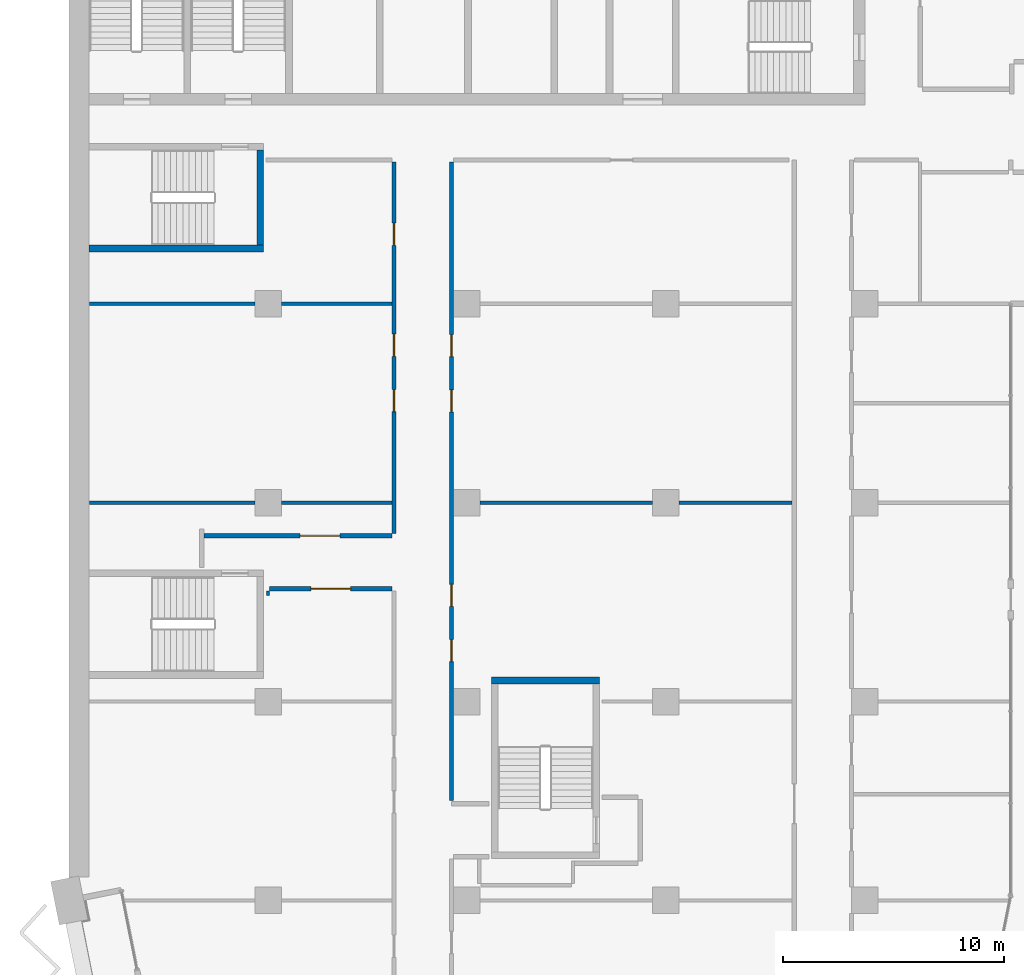
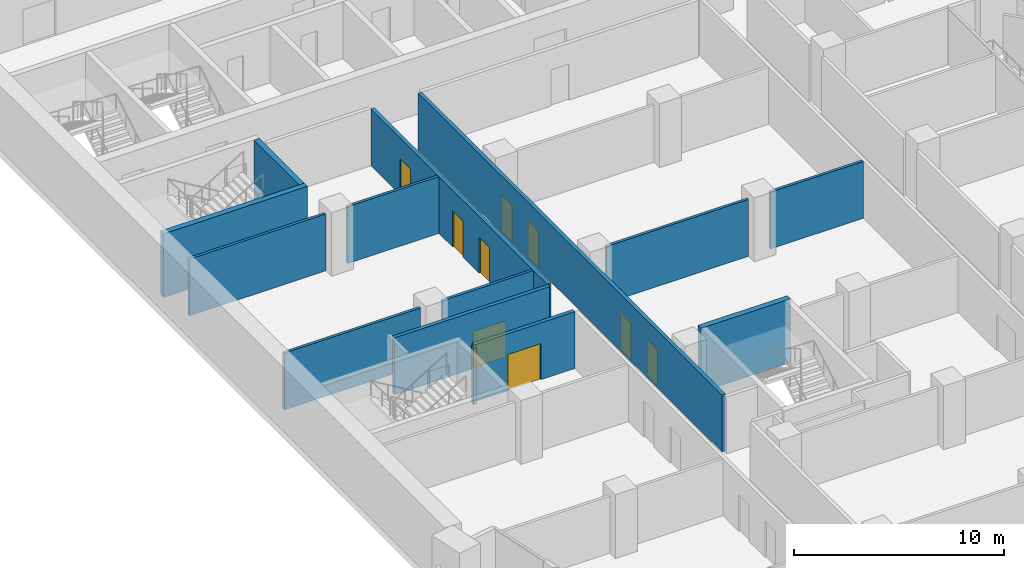
# One storey, part 10 of 22: 14 walls, 9 doors, 9 openings.
"""IFC4 building model written with IfcOpenShell, lengths in metres."""

from ifc_helpers import new_model, si_unit, direction, frame, frame_2d, origin, place, context, subcontext, project, spatial, rectangle, extrude, material, layer, layer_set, type_object, element, fill, save


model = new_model("IFC4")

# Units and contexts
model_context = context("Model", 3, precision=1e-05, world=origin(), true_north=direction((0.0, 1.0)))
body_context = subcontext(model_context, "Body", "Model", "MODEL_VIEW")
ifc_project = project(units=[si_unit("LENGTHUNIT", "METRE"), si_unit("AREAUNIT", "SQUARE_METRE"), si_unit("VOLUMEUNIT", "CUBIC_METRE"), si_unit("PLANEANGLEUNIT", "RADIAN"), si_unit("MASSUNIT", "GRAM", prefix="KILO")], contexts=[model_context])

# Site, building, storey
site_placement = place(None, origin())
site = spatial("IfcSite", under=ifc_project, at=site_placement, CompositionType="ELEMENT")
building_placement = place(site_placement, origin())
building = spatial("IfcBuilding", under=site, at=building_placement, Name="Hunhe Ridgeline Campus", CompositionType="ELEMENT")
storey_placement = place(building_placement, frame((0.0, 0.0, 141.199951171875)))
storey = spatial("IfcBuildingStorey", under=building, at=storey_placement, Name="L35", CompositionType="ELEMENT", Elevation=141.199951171875)

# Wall, opening, door
ifc_material_1 = material(Name="Gypsum board partition")
ifc_layer_1 = layer(ifc_material_1, 0.199951171875)
ifc_layer_set_1 = layer_set([ifc_layer_1], Name="Corridor partition 200 gypsum board on steel studs")
wall_type_1 = type_object("IfcWallType", Name="Corridor partition 200 gypsum board on steel studs", PredefinedType="PARTITIONING", material=ifc_layer_set_1)
wall_1_placement = place(storey_placement, frame((14.60009765625, 41.10009765625, 0.0), z_axis=(0.0, 0.0, 1.0), x_axis=(-1.0, 0.0, 0.0)))
wall_1 = element("IfcWall", 1, at=wall_1_placement, inside=storey, type_object=wall_type_1, Name="F-L35-wall-023", PredefinedType="PARTITIONING", context=body_context, shape_type="SweptSolid", body=[
    extrude(rectangle(XDim=5.525146484375, YDim=0.199951171875, at=frame_2d((2.7626953125, 0.0))), origin(), (0.0, 0.0, 1.0), 3.300048828125),
])
opening_1_placement = place(wall_1_placement, frame((1.862548828125, 0.0, 0.0)))
opening_1 = element("IfcOpeningElement", 2, at=opening_1_placement, cuts=wall_1, Name="Opening RD2-019", PredefinedType="OPENING", context=body_context, shape_type="SweptSolid", body=[
    extrude(rectangle(XDim=1.800048828125, YDim=2.10009765625, at=frame_2d((0.89990234375, 1.050048828125))), frame((0.0, 0.10009765625, 0.0), z_axis=(0.0, -1.0, 0.0), x_axis=(1.0, 0.0, 0.0)), (0.0, 0.0, 1.0), 0.199951171875),
])
ifc_material_2 = material(Name="Timber door leaf", Category="wood")
door_type_1 = type_object("IfcDoorType", Name="Double fire door 1800x2100 timber FD60", OperationType="DOUBLE_DOOR_SINGLE_SWING", PredefinedType="DOOR", material=ifc_material_2)
door_1_placement = place(opening_1_placement, origin())
door_1 = element("IfcDoor", 3, at=door_1_placement, inside=storey, type_object=door_type_1, Name="F-L35-door-019", OperationType="DOUBLE_DOOR_SINGLE_SWING", OverallHeight=2.10009765625, OverallWidth=1.800048828125, PredefinedType="DOOR", context=body_context, shape_type="SweptSolid", body=[
    extrude(rectangle(XDim=1.800048828125, YDim=2.10009765625, at=frame_2d((0.89990234375, 1.050048828125))), frame((0.0, 0.02490234375, 0.0), z_axis=(0.0, -1.0, 0.0), x_axis=(1.0, 0.0, 0.0)), (0.0, 0.0, 1.0), 0.050048828125),
])
fill(opening_1, door_1)

wall_2_placement = place(storey_placement, frame((6.10009765625, 43.5, 0.0), z_axis=(0.0, 0.0, 1.0), x_axis=(1.0, 0.0, 0.0)))
wall_2 = element("IfcWall", 4, at=wall_2_placement, inside=storey, type_object=wall_type_1, Name="F-L35-wall-024", PredefinedType="PARTITIONING", context=body_context, shape_type="SweptSolid", body=[
    extrude(rectangle(XDim=8.5, YDim=0.199951171875, at=frame_2d((4.25, 0.0))), origin(), (0.0, 0.0, 1.0), 3.300048828125),
])
opening_2_placement = place(wall_2_placement, frame((4.35009765625, 0.0, 0.0)))
opening_2 = element("IfcOpeningElement", 5, at=opening_2_placement, cuts=wall_2, Name="Opening RD2-020", PredefinedType="OPENING", context=body_context, shape_type="SweptSolid", body=[
    extrude(rectangle(XDim=1.800048828125, YDim=2.10009765625, at=frame_2d((0.89990234375, 1.050048828125))), frame((0.0, 0.10009765625, 0.0), z_axis=(0.0, -1.0, 0.0), x_axis=(1.0, 0.0, 0.0)), (0.0, 0.0, 1.0), 0.199951171875),
])
door_2_placement = place(opening_2_placement, origin())
door_2 = element("IfcDoor", 6, at=door_2_placement, inside=storey, type_object=door_type_1, Name="F-L35-door-020", OperationType="DOUBLE_DOOR_SINGLE_SWING", OverallHeight=2.10009765625, OverallWidth=1.800048828125, PredefinedType="DOOR", context=body_context, shape_type="SweptSolid", body=[
    extrude(rectangle(XDim=1.800048828125, YDim=2.10009765625, at=frame_2d((0.89990234375, 1.050048828125))), frame((0.0, 0.02490234375, 0.0), z_axis=(0.0, -1.0, 0.0), x_axis=(1.0, 0.0, 0.0)), (0.0, 0.0, 1.0), 0.050048828125),
])
fill(opening_2, door_2)

# Wall, openings, doors
wall_3_placement = place(storey_placement, frame((14.699951171875, 43.60009765625, 0.0), z_axis=(0.0, 0.0, 1.0), x_axis=(0.0, 1.0, 0.0)))
wall_3 = element("IfcWall", 7, at=wall_3_placement, inside=storey, type_object=wall_type_1, Name="F-L35-wall-062", PredefinedType="PARTITIONING", context=body_context, shape_type="SweptSolid", body=[
    extrude(rectangle(XDim=16.7998046875, YDim=0.199951171875, at=frame_2d((8.39990234375, 0.0))), origin(), (0.0, 0.0, 1.0), 3.300048828125),
])
opening_3_placement = place(wall_3_placement, frame((5.517822265625, 0.0, 0.0)))
opening_3 = element("IfcOpeningElement", 8, at=opening_3_placement, cuts=wall_3, Name="Opening RD1-022", PredefinedType="OPENING", context=body_context, shape_type="SweptSolid", body=[
    extrude(rectangle(XDim=1.0, YDim=2.10009765625, at=frame_2d((0.5, 1.050048828125))), frame((0.0, 0.10009765625, 0.0), z_axis=(0.0, -1.0, 0.0), x_axis=(1.0, 0.0, 0.0)), (0.0, 0.0, 1.0), 0.199951171875),
])
opening_4_placement = place(wall_3_placement, frame((8.017822265625, 0.0, 0.0)))
opening_4 = element("IfcOpeningElement", 9, at=opening_4_placement, cuts=wall_3, Name="Opening RD1-025", PredefinedType="OPENING", context=body_context, shape_type="SweptSolid", body=[
    extrude(rectangle(XDim=1.0, YDim=2.10009765625, at=frame_2d((0.5, 1.050048828125))), frame((0.0, 0.10009765625, 0.0), z_axis=(0.0, -1.0, 0.0), x_axis=(1.0, 0.0, 0.0)), (0.0, 0.0, 1.0), 0.199951171875),
])
opening_5_placement = place(wall_3_placement, frame((13.040283203125, 0.0, 0.0)))
opening_5 = element("IfcOpeningElement", 10, at=opening_5_placement, cuts=wall_3, Name="Opening RD1-027", PredefinedType="OPENING", context=body_context, shape_type="SweptSolid", body=[
    extrude(rectangle(XDim=1.0, YDim=2.10009765625, at=frame_2d((0.5, 1.050048828125))), frame((0.0, 0.10009765625, 0.0), z_axis=(0.0, -1.0, 0.0), x_axis=(1.0, 0.0, 0.0)), (0.0, 0.0, 1.0), 0.199951171875),
])
door_type_2 = type_object("IfcDoorType", Name="Single fire door 1000x2100 timber FD60", OperationType="NOTDEFINED", PredefinedType="DOOR", material=ifc_material_2)
door_3_placement = place(opening_3_placement, frame((1.0, 0.0, 0.0), z_axis=(0.0, 0.0, 1.0), x_axis=(-1.0, 0.0, 0.0)))
door_3 = element("IfcDoor", 11, at=door_3_placement, inside=storey, type_object=door_type_2, Name="F-L35-door-022", OperationType="SINGLE_SWING_LEFT", OverallHeight=2.10009765625, OverallWidth=1.0, PredefinedType="DOOR", context=body_context, shape_type="SweptSolid", body=[
    extrude(rectangle(XDim=1.0, YDim=2.10009765625, at=frame_2d((0.5, 1.050048828125))), frame((0.0, 0.02490234375, 0.0), z_axis=(0.0, -1.0, 0.0), x_axis=(1.0, 0.0, 0.0)), (0.0, 0.0, 1.0), 0.050048828125),
])
fill(opening_3, door_3)
door_4_placement = place(opening_4_placement, frame((1.0, 0.0, 0.0), z_axis=(0.0, 0.0, 1.0), x_axis=(-1.0, 0.0, 0.0)))
door_4 = element("IfcDoor", 12, at=door_4_placement, inside=storey, type_object=door_type_2, Name="F-L35-door-025", OperationType="SINGLE_SWING_LEFT", OverallHeight=2.10009765625, OverallWidth=1.0, PredefinedType="DOOR", context=body_context, shape_type="SweptSolid", body=[
    extrude(rectangle(XDim=1.0, YDim=2.10009765625, at=frame_2d((0.5, 1.050048828125))), frame((0.0, 0.02490234375, 0.0), z_axis=(0.0, -1.0, 0.0), x_axis=(1.0, 0.0, 0.0)), (0.0, 0.0, 1.0), 0.050048828125),
])
fill(opening_4, door_4)
door_5_placement = place(opening_5_placement, origin())
door_5 = element("IfcDoor", 13, at=door_5_placement, inside=storey, type_object=door_type_2, Name="F-L35-door-027", OperationType="SINGLE_SWING_RIGHT", OverallHeight=2.10009765625, OverallWidth=1.0, PredefinedType="DOOR", context=body_context, shape_type="SweptSolid", body=[
    extrude(rectangle(XDim=1.0, YDim=2.10009765625, at=frame_2d((0.5, 1.050048828125))), frame((0.0, 0.02490234375, 0.0), z_axis=(0.0, -1.0, 0.0), x_axis=(1.0, 0.0, 0.0)), (0.0, 0.0, 1.0), 0.050048828125),
])
fill(opening_5, door_5)

wall_4_placement = place(storey_placement, frame((17.300048828125, 60.39990234375, 0.0), z_axis=(0.0, 0.0, 1.0), x_axis=(0.0, -1.0, 0.0)))
wall_4 = element("IfcWall", 14, at=wall_4_placement, inside=storey, type_object=wall_type_1, Name="F-L35-wall-064", PredefinedType="PARTITIONING", context=body_context, shape_type="SweptSolid", body=[
    extrude(rectangle(XDim=28.879150390625, YDim=0.199951171875, at=frame_2d((14.439453125, 0.0))), origin(), (0.0, 0.0, 1.0), 3.300048828125),
])
opening_6_placement = place(wall_4_placement, frame((21.59912109375, 0.0, 0.0)))
opening_6 = element("IfcOpeningElement", 15, at=opening_6_placement, cuts=wall_4, Name="Opening RD1-016", PredefinedType="OPENING", context=body_context, shape_type="SweptSolid", body=[
    extrude(rectangle(XDim=1.0, YDim=2.10009765625, at=frame_2d((0.5, 1.050048828125))), frame((0.0, 0.10009765625, 0.0), z_axis=(0.0, -1.0, 0.0), x_axis=(1.0, 0.0, 0.0)), (0.0, 0.0, 1.0), 0.199951171875),
])
opening_7_placement = place(wall_4_placement, frame((19.09912109375, 0.0, 0.0)))
opening_7 = element("IfcOpeningElement", 16, at=opening_7_placement, cuts=wall_4, Name="Opening RD1-018", PredefinedType="OPENING", context=body_context, shape_type="SweptSolid", body=[
    extrude(rectangle(XDim=1.0, YDim=2.10009765625, at=frame_2d((0.5, 1.050048828125))), frame((0.0, 0.10009765625, 0.0), z_axis=(0.0, -1.0, 0.0), x_axis=(1.0, 0.0, 0.0)), (0.0, 0.0, 1.0), 0.199951171875),
])
opening_8_placement = place(wall_4_placement, frame((10.29833984375, 0.0, 0.0)))
opening_8 = element("IfcOpeningElement", 17, at=opening_8_placement, cuts=wall_4, Name="Opening RD1-023", PredefinedType="OPENING", context=body_context, shape_type="SweptSolid", body=[
    extrude(rectangle(XDim=1.0, YDim=2.10009765625, at=frame_2d((0.5, 1.050048828125))), frame((0.0, 0.10009765625, 0.0), z_axis=(0.0, -1.0, 0.0), x_axis=(1.0, 0.0, 0.0)), (0.0, 0.0, 1.0), 0.199951171875),
])
opening_9_placement = place(wall_4_placement, frame((7.79833984375, 0.0, 0.0)))
opening_9 = element("IfcOpeningElement", 18, at=opening_9_placement, cuts=wall_4, Name="Opening RD1-026", PredefinedType="OPENING", context=body_context, shape_type="SweptSolid", body=[
    extrude(rectangle(XDim=1.0, YDim=2.10009765625, at=frame_2d((0.5, 1.050048828125))), frame((0.0, 0.10009765625, 0.0), z_axis=(0.0, -1.0, 0.0), x_axis=(1.0, 0.0, 0.0)), (0.0, 0.0, 1.0), 0.199951171875),
])
door_6_placement = place(opening_6_placement, frame((1.0, 0.0, 0.0), z_axis=(0.0, 0.0, 1.0), x_axis=(-1.0, 0.0, 0.0)))
door_6 = element("IfcDoor", 19, at=door_6_placement, inside=storey, type_object=door_type_2, Name="F-L35-door-016", OperationType="SINGLE_SWING_LEFT", OverallHeight=2.10009765625, OverallWidth=1.0, PredefinedType="DOOR", context=body_context, shape_type="SweptSolid", body=[
    extrude(rectangle(XDim=1.0, YDim=2.10009765625, at=frame_2d((0.5, 1.050048828125))), frame((0.0, 0.02490234375, 0.0), z_axis=(0.0, -1.0, 0.0), x_axis=(1.0, 0.0, 0.0)), (0.0, 0.0, 1.0), 0.050048828125),
])
fill(opening_6, door_6)
door_7_placement = place(opening_7_placement, frame((1.0, 0.0, 0.0), z_axis=(0.0, 0.0, 1.0), x_axis=(-1.0, 0.0, 0.0)))
door_7 = element("IfcDoor", 20, at=door_7_placement, inside=storey, type_object=door_type_2, Name="F-L35-door-018", OperationType="SINGLE_SWING_RIGHT", OverallHeight=2.10009765625, OverallWidth=1.0, PredefinedType="DOOR", context=body_context, shape_type="SweptSolid", body=[
    extrude(rectangle(XDim=1.0, YDim=2.10009765625, at=frame_2d((0.5, 1.050048828125))), frame((0.0, 0.02490234375, 0.0), z_axis=(0.0, -1.0, 0.0), x_axis=(1.0, 0.0, 0.0)), (0.0, 0.0, 1.0), 0.050048828125),
])
fill(opening_7, door_7)
door_8_placement = place(opening_8_placement, frame((1.0, 0.0, 0.0), z_axis=(0.0, 0.0, 1.0), x_axis=(-1.0, 0.0, 0.0)))
door_8 = element("IfcDoor", 21, at=door_8_placement, inside=storey, type_object=door_type_2, Name="F-L35-door-023", OperationType="SINGLE_SWING_LEFT", OverallHeight=2.10009765625, OverallWidth=1.0, PredefinedType="DOOR", context=body_context, shape_type="SweptSolid", body=[
    extrude(rectangle(XDim=1.0, YDim=2.10009765625, at=frame_2d((0.5, 1.050048828125))), frame((0.0, 0.02490234375, 0.0), z_axis=(0.0, -1.0, 0.0), x_axis=(1.0, 0.0, 0.0)), (0.0, 0.0, 1.0), 0.050048828125),
])
fill(opening_8, door_8)
door_9_placement = place(opening_9_placement, frame((1.0, 0.0, 0.0), z_axis=(0.0, 0.0, 1.0), x_axis=(-1.0, 0.0, 0.0)))
door_9 = element("IfcDoor", 22, at=door_9_placement, inside=storey, type_object=door_type_2, Name="F-L35-door-026", OperationType="SINGLE_SWING_RIGHT", OverallHeight=2.10009765625, OverallWidth=1.0, PredefinedType="DOOR", context=body_context, shape_type="SweptSolid", body=[
    extrude(rectangle(XDim=1.0, YDim=2.10009765625, at=frame_2d((0.5, 1.050048828125))), frame((0.0, 0.02490234375, 0.0), z_axis=(0.0, -1.0, 0.0), x_axis=(1.0, 0.0, 0.0)), (0.0, 0.0, 1.0), 0.050048828125),
])
fill(opening_9, door_9)

# Walls
ifc_layer_2 = layer(ifc_material_1, 0.14990234375)
ifc_layer_set_2 = layer_set([ifc_layer_2], Name="Room partition 150 gypsum board on steel studs")
wall_type_2 = type_object("IfcWallType", Name="Room partition 150 gypsum board on steel studs", PredefinedType="PARTITIONING", material=ifc_layer_set_2)
wall_5_placement = place(storey_placement, frame((0.919921875, 45.0, 0.0), z_axis=(0.0, 0.0, 1.0), x_axis=(1.0, 0.0, 0.0)))
element("IfcWall", 23, at=wall_5_placement, inside=storey, type_object=wall_type_2, Name="F-L35-wall-025", PredefinedType="PARTITIONING", context=body_context, shape_type="SweptSolid", body=[
    extrude(rectangle(XDim=7.47998046875, YDim=0.14990234375, at=frame_2d((3.739990234375, 0.0))), origin(), (0.0, 0.0, 1.0), 3.300048828125),
])
wall_6_placement = place(storey_placement, frame((9.60009765625, 45.0, 0.0), z_axis=(0.0, 0.0, 1.0), x_axis=(1.0, 0.0, 0.0)))
element("IfcWall", 24, at=wall_6_placement, inside=storey, type_object=wall_type_2, Name="F-L35-wall-026", PredefinedType="PARTITIONING", context=body_context, shape_type="SweptSolid", body=[
    extrude(rectangle(XDim=5.0, YDim=0.14990234375, at=frame_2d((2.5, 0.0))), origin(), (0.0, 0.0, 1.0), 3.300048828125),
])
wall_7_placement = place(storey_placement, frame((18.60009765625, 45.0, 0.0), z_axis=(0.0, 0.0, 1.0), x_axis=(1.0, 0.0, 0.0)))
element("IfcWall", 25, at=wall_7_placement, inside=storey, type_object=wall_type_2, Name="F-L35-wall-027", PredefinedType="PARTITIONING", context=body_context, shape_type="SweptSolid", body=[
    extrude(rectangle(XDim=7.7998046875, YDim=0.14990234375, at=frame_2d((3.89990234375, 0.0))), origin(), (0.0, 0.0, 1.0), 3.300048828125),
])
wall_8_placement = place(storey_placement, frame((27.60009765625, 45.0, 0.0), z_axis=(0.0, 0.0, 1.0), x_axis=(1.0, 0.0, 0.0)))
element("IfcWall", 26, at=wall_8_placement, inside=storey, type_object=wall_type_2, Name="F-L35-wall-028", PredefinedType="PARTITIONING", context=body_context, shape_type="SweptSolid", body=[
    extrude(rectangle(XDim=5.099853515625, YDim=0.14990234375, at=frame_2d((2.5498046875, 0.0))), origin(), (0.0, 0.0, 1.0), 3.300048828125),
])
wall_9_placement = place(storey_placement, frame((0.919921875, 54.0, 0.0), z_axis=(0.0, 0.0, 1.0), x_axis=(1.0, 0.0, 0.0)))
element("IfcWall", 27, at=wall_9_placement, inside=storey, type_object=wall_type_2, Name="F-L35-wall-031", PredefinedType="PARTITIONING", context=body_context, shape_type="SweptSolid", body=[
    extrude(rectangle(XDim=7.47998046875, YDim=0.14990234375, at=frame_2d((3.739990234375, 0.0))), origin(), (0.0, 0.0, 1.0), 3.300048828125),
])
wall_10_placement = place(storey_placement, frame((9.60009765625, 54.0, 0.0), z_axis=(0.0, 0.0, 1.0), x_axis=(1.0, 0.0, 0.0)))
element("IfcWall", 28, at=wall_10_placement, inside=storey, type_object=wall_type_2, Name="F-L35-wall-032", PredefinedType="PARTITIONING", context=body_context, shape_type="SweptSolid", body=[
    extrude(rectangle(XDim=5.0, YDim=0.14990234375, at=frame_2d((2.5, 0.0))), origin(), (0.0, 0.0, 1.0), 3.300048828125),
])
wall_11_placement = place(storey_placement, frame((9.0, 41.0, 0.0), z_axis=(0.0, 0.0, 1.0), x_axis=(0.0, -1.0, 0.0)))
element("IfcWall", 29, at=wall_11_placement, inside=storey, type_object=wall_type_2, Name="F-L35-wall-060", PredefinedType="PARTITIONING", context=body_context, shape_type="SweptSolid", body=[
    extrude(rectangle(XDim=0.199951171875, YDim=0.14990234375, at=frame_2d((0.10009765625, 0.0))), origin(), (0.0, 0.0, 1.0), 3.300048828125),
])
ifc_material_3 = material(Name="Concrete C70", Category="concrete")
ifc_layer_3 = layer(ifc_material_3, 0.300048828125)
ifc_layer_set_3 = layer_set([ifc_layer_3], Name="Stair wall 300 reinforced concrete C70")
wall_type_3 = type_object("IfcWallType", Name="Stair wall 300 reinforced concrete C70", PredefinedType="SOLIDWALL", material=ifc_layer_set_3)
wall_12_placement = place(storey_placement, frame((19.10009765625, 36.949951171875, -0.39990234375), z_axis=(0.0, 0.0, 1.0), x_axis=(1.0, 0.0, 0.0)))
element("IfcWall", 30, at=wall_12_placement, inside=storey, type_object=wall_type_3, Name="L35 core wall 2", PredefinedType="SOLIDWALL", context=body_context, shape_type="SweptSolid", body=[
    extrude(rectangle(XDim=4.89990234375, YDim=0.300048828125, at=frame_2d((2.449951171875, 0.0))), origin(), (0.0, 0.0, 1.0), 3.699951171875),
])
wall_13_placement = place(storey_placement, frame((0.89990234375, 56.5, -0.39990234375), z_axis=(0.0, 0.0, 1.0), x_axis=(1.0, 0.0, 0.0)))
element("IfcWall", 31, at=wall_13_placement, inside=storey, type_object=wall_type_3, Name="L35 core wall 5", PredefinedType="SOLIDWALL", context=body_context, shape_type="SweptSolid", body=[
    extrude(rectangle(XDim=7.900146484375, YDim=0.300048828125, at=frame_2d((3.9501953125, 0.0))), origin(), (0.0, 0.0, 1.0), 3.699951171875),
])
wall_14_placement = place(storey_placement, frame((8.64990234375, 56.64990234375, -0.39990234375), z_axis=(0.0, 0.0, 1.0), x_axis=(0.0, 1.0, 0.0)))
element("IfcWall", 32, at=wall_14_placement, inside=storey, type_object=wall_type_3, Name="L35 core wall 37", PredefinedType="SOLIDWALL", context=body_context, shape_type="SweptSolid", body=[
    extrude(rectangle(XDim=4.300048828125, YDim=0.300048828125, at=frame_2d((2.14990234375, 0.0))), origin(), (0.0, 0.0, 1.0), 3.699951171875),
])

save(model, "model.ifc")
